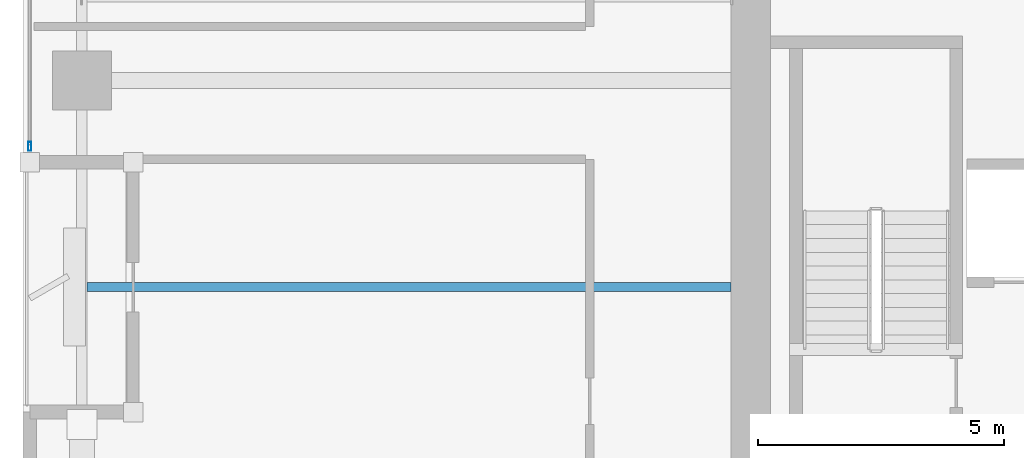
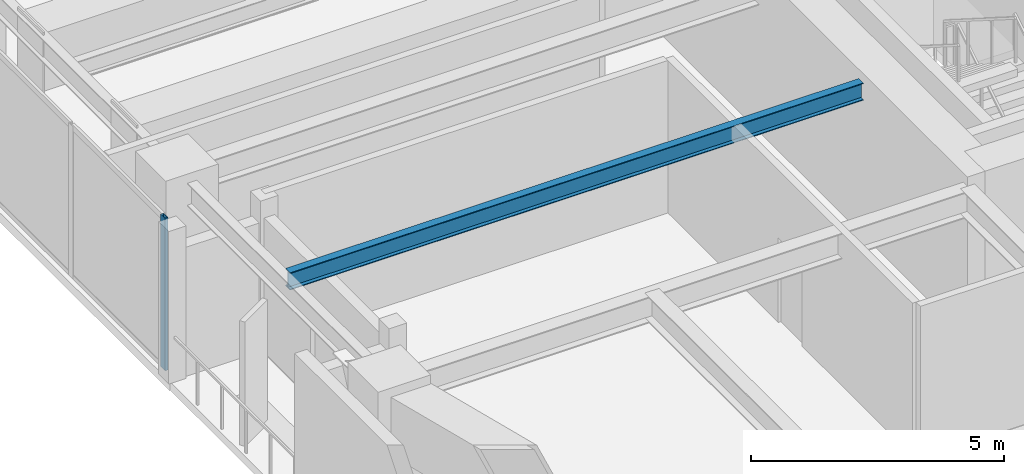
# One storey, part 2 of 30: 1 beam, 1 member, 1 element without a shape of its own.
"""IFC4 building model written with IfcOpenShell, lengths in metres."""

from ifc_helpers import new_model, si_unit, direction, frame, origin, origin_2d, place, context, subcontext, project, spatial, hollow_rectangle, i_section, extrude, material, layer, layer_set, material_profile, profile_set, type_object, element, aggregate, save


model = new_model("IFC4")

# Units and contexts
model_context = context("Model", 3, precision=1e-05, world=origin(), true_north=direction((0.0, 1.0)))
body_context = subcontext(model_context, "Body", "Model", "MODEL_VIEW")
ifc_project = project(units=[si_unit("LENGTHUNIT", "METRE"), si_unit("AREAUNIT", "SQUARE_METRE"), si_unit("VOLUMEUNIT", "CUBIC_METRE"), si_unit("PLANEANGLEUNIT", "RADIAN"), si_unit("MASSUNIT", "GRAM", prefix="KILO")], contexts=[model_context])

# Site, building, storey
site_placement = place(None, origin())
site = spatial("IfcSite", under=ifc_project, at=site_placement, CompositionType="ELEMENT")
building_placement = place(site_placement, origin())
building = spatial("IfcBuilding", under=site, at=building_placement, Name="Kiyonajd Concourse Tower", CompositionType="ELEMENT")
storey_placement = place(building_placement, frame((0.0, 0.0, 177.89990234375)))
storey = spatial("IfcBuildingStorey", under=building, at=storey_placement, Name="L45", CompositionType="ELEMENT", Elevation=177.89990234375)

# Beam
ifc_material_1 = material(Name="Steel ASTM A992 Grade 50", Category="steel")
ifc_material_profile_1 = material_profile(ifc_material_1, i_section(OverallWidth=0.180908203125, OverallDepth=0.4169921875, WebThickness=0.010986328125, FlangeThickness=0.018310546875, at=origin_2d()), Name="W410X85")
ifc_profile_set_1 = profile_set([ifc_material_profile_1], Name="Steel ASTM A992 Grade 50")
beam_type = type_object("IfcBeamType", Name="BM-JST-410", PredefinedType="JOIST", material=ifc_profile_set_1)
beam_placement = place(storey_placement, frame((19.306884765625, 31.800048828125, 3.4716796875), z_axis=(1.0, 0.0, 0.0), x_axis=(0.0, 1.0, 0.0)))
element("IfcBeam", 1, at=beam_placement, inside=storey, type_object=beam_type, Name="L45 West Secondary Floor Joist", PredefinedType="JOIST", context=body_context, shape_type="SweptSolid", body=[
    extrude(i_section(OverallWidth=0.180908203125, OverallDepth=0.4169921875, WebThickness=0.010986328125, FlangeThickness=0.018310546875, at=origin_2d()), origin(), (0.0, 0.0, 1.0), 13.093017578125),
])

# Curtain wall, member
ifc_material_2 = material(Name="Thermally Broken Anodised Aluminium", Category="aluminium")
ifc_layer = layer(ifc_material_2, 0.179931640625)
ifc_layer_set = layer_set([ifc_layer], Name="Thermally Broken Anodised Aluminium")
curtain_wall_type = type_object("IfcCurtainWallType", Name="CW-SYS-03", PredefinedType="NOTDEFINED", material=ifc_layer_set)
curtain_wall_placement = place(storey_placement, origin())
curtain_wall = element("IfcCurtainWall", 2, at=curtain_wall_placement, inside=storey, type_object=curtain_wall_type, Name="L45 Unitised Curtain Wall CW3", PredefinedType="NOTDEFINED")
ifc_material_profile_2 = material_profile(ifc_material_2, hollow_rectangle(XDim=0.06494140625, YDim=0.179931640625, WallThickness=0.00390625, at=origin_2d()), Name="MULL-65x180")
ifc_profile_set_2 = profile_set([ifc_material_profile_2], Name="Thermally Broken Anodised Aluminium")
member_type = type_object("IfcMemberType", Name="MB-CW-MULL1", PredefinedType="MULLION", material=ifc_profile_set_2)
member_placement = place(storey_placement, frame((18.139892578125, 34.66259765625, 0.0), z_axis=(0.0, 0.0, 1.0), x_axis=(-1.0, 0.0, 0.0)))
member = element("IfcMember", 3, at=member_placement, type_object=member_type, Name="CW3 mullion 1", PredefinedType="MULLION", context=body_context, shape_type="SweptSolid", body=[
    extrude(hollow_rectangle(XDim=0.06494140625, YDim=0.179931640625, WallThickness=0.00390625, at=origin_2d()), origin(), (0.0, 0.0, 1.0), 3.68017578125),
])
aggregate(curtain_wall, [member])

save(model, "model.ifc")
